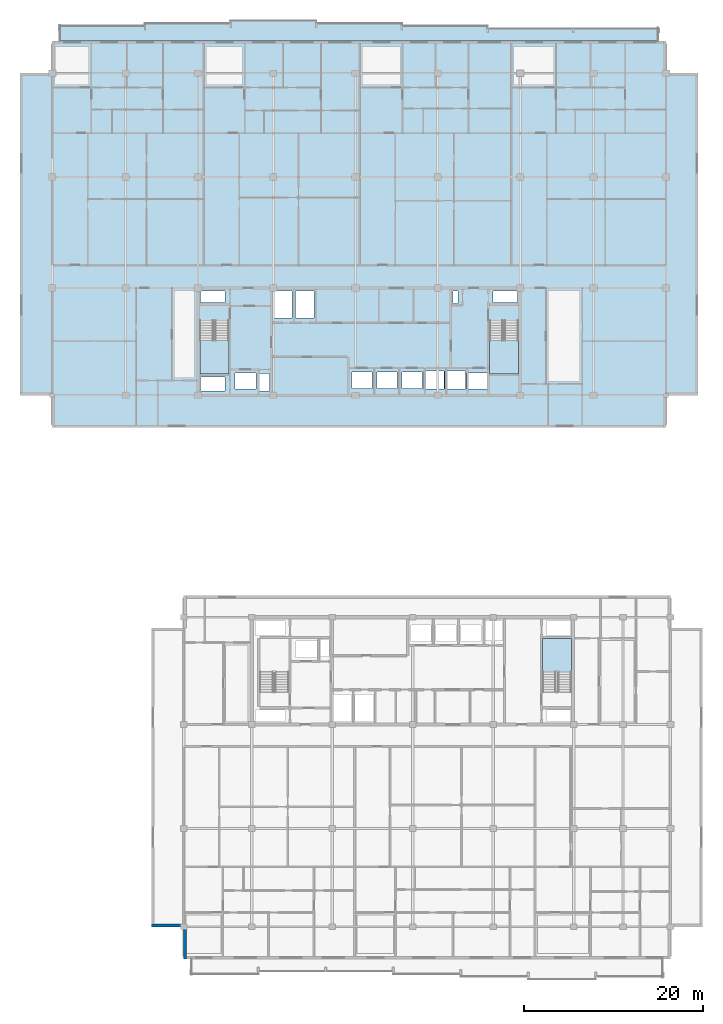
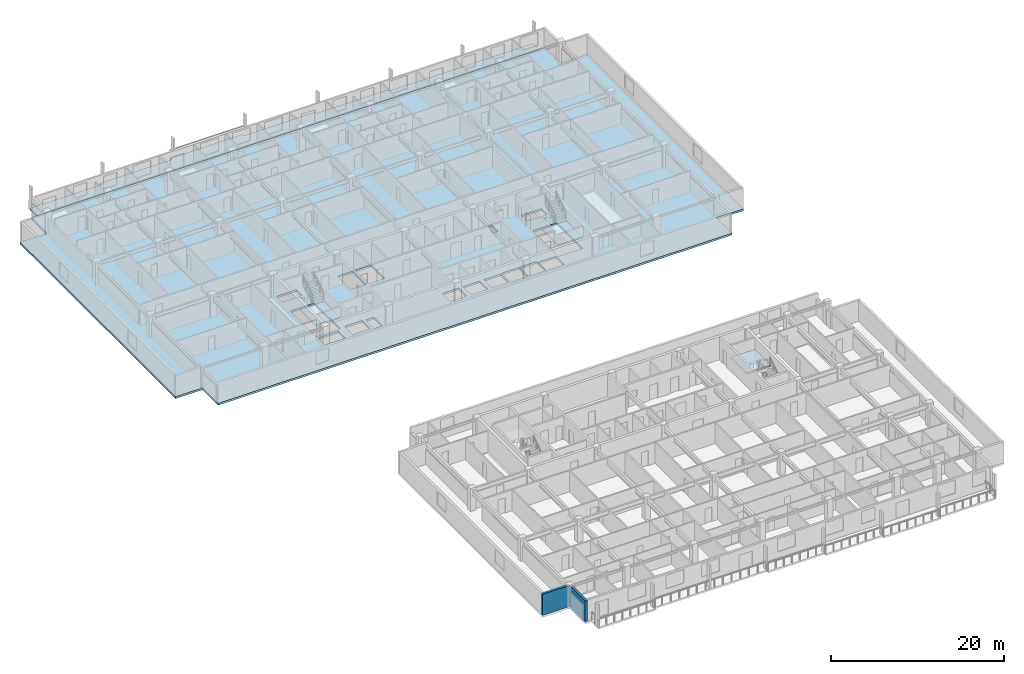
# One storey, part 3 of 24: 5 slabs, 2 walls, 3 elements without a shape of their own.
"""IFC4 building model written with IfcOpenShell, lengths in metres."""

from ifc_helpers import new_model, si_unit, direction, frame, frame_2d, origin, place, context, subcontext, project, spatial, polyline, rectangle, outline, extrude, material, layer, layer_set, type_object, element, aggregate, save


model = new_model("IFC4")

# Units and contexts
model_context = context("Model", 3, precision=1e-05, world=origin(), true_north=direction((0.0, 1.0)))
body_context = subcontext(model_context, "Body", "Model", "MODEL_VIEW")
ifc_project = project(units=[si_unit("LENGTHUNIT", "METRE"), si_unit("AREAUNIT", "SQUARE_METRE"), si_unit("VOLUMEUNIT", "CUBIC_METRE"), si_unit("PLANEANGLEUNIT", "RADIAN"), si_unit("MASSUNIT", "GRAM", prefix="KILO")], contexts=[model_context])

# Site, building, storey
site_placement = place(None, origin())
site = spatial("IfcSite", under=ifc_project, at=site_placement, CompositionType="ELEMENT")
building_placement = place(site_placement, origin())
building = spatial("IfcBuilding", under=site, at=building_placement, Name="Korimba Cascade Residences", CompositionType="ELEMENT")
storey_placement = place(building_placement, frame((0.0, 0.0, 168.60009765625)))
storey = spatial("IfcBuildingStorey", under=building, at=storey_placement, Name="L48", CompositionType="ELEMENT", Elevation=168.60009765625)

# Stair, slab
ifc_material_1 = material(Name="Concrete C50/60", Category="concrete")
stair_type_1 = type_object("IfcStairType", Name="STR-W1-18R-1806", PredefinedType="HALF_TURN_STAIR", material=ifc_material_1)
stair_1_placement = place(storey_placement, origin())
stair_1 = element("IfcStair", 1, at=stair_1_placement, inside=storey, type_object=stair_type_1, Name="L48 Tower 1 West Fire Stair ST-W1", PredefinedType="HALF_TURN_STAIR")
ifc_layer_1 = layer(ifc_material_1, 0.199951171875)
ifc_layer_set_1 = layer_set([ifc_layer_1], Name="Concrete C50/60")
slab_type_1 = type_object("IfcSlabType", Name="SLB-LND-220", PredefinedType="LANDING", material=ifc_layer_set_1)
slab_1_placement = place(storey_placement, frame((0.0, 0.0, 1.4248046875)))
slab_1 = element("IfcSlab", 2, at=slab_1_placement, type_object=slab_type_1, Name="ST-W1 landing 1", PredefinedType="LANDING", context=body_context, shape_type="SweptSolid", body=[
    extrude(outline(polyline([(76.300048828125, 61.31005859375), (76.300048828125, 57.60009765625), (79.5400390625, 57.60009765625), (79.5400390625, 61.31005859375), (76.300048828125, 61.31005859375)])), origin(), (0.0, 0.0, 1.0), 0.2001953125),
])
aggregate(stair_1, [slab_1])

stair_type_2 = type_object("IfcStairType", Name="STR-W2-18R-1806", PredefinedType="HALF_TURN_STAIR", material=ifc_material_1)
stair_2_placement = place(storey_placement, origin())
stair_2 = element("IfcStair", 3, at=stair_2_placement, inside=storey, type_object=stair_type_2, Name="L48 Tower 1 East Fire Stair ST-W2", PredefinedType="HALF_TURN_STAIR")
slab_2_placement = place(storey_placement, frame((0.0, 0.0, 1.4248046875)))
slab_2 = element("IfcSlab", 4, at=slab_2_placement, type_object=slab_type_1, Name="ST-W2 landing 1", PredefinedType="LANDING", context=body_context, shape_type="SweptSolid", body=[
    extrude(outline(polyline([(108.659912109375, 61.31005859375), (108.659912109375, 57.60009765625), (111.89990234375, 57.60009765625), (111.89990234375, 61.31005859375), (108.659912109375, 61.31005859375)])), origin(), (0.0, 0.0, 1.0), 0.2001953125),
])
aggregate(stair_2, [slab_2])

stair_type_3 = type_object("IfcStairType", Name="STR-E2-18R-1806", PredefinedType="HALF_TURN_STAIR", material=ifc_material_1)
stair_3_placement = place(storey_placement, origin())
stair_3 = element("IfcStair", 5, at=stair_3_placement, inside=storey, type_object=stair_type_3, Name="L48 Tower 2 East Fire Stair ST-E2", PredefinedType="HALF_TURN_STAIR")
slab_3_placement = place(storey_placement, frame((0.0, 0.0, 1.4248046875)))
slab_3 = element("IfcSlab", 6, at=slab_3_placement, type_object=slab_type_1, Name="ST-E2 landing 1", PredefinedType="LANDING", context=body_context, shape_type="SweptSolid", body=[
    extrude(outline(polyline([(117.840087890625, 24.2900390625), (117.840087890625, 28.0), (114.60009765625, 28.0), (114.60009765625, 24.2900390625), (117.840087890625, 24.2900390625)])), origin(), (0.0, 0.0, 1.0), 0.2001953125),
])
aggregate(stair_3, [slab_3])

# Slabs
ifc_material_2 = material(Name="Precast concrete C40/50", Category="concrete")
ifc_layer_2 = layer(ifc_material_2, 0.239990234375)
ifc_layer_set_2 = layer_set([ifc_layer_2], Name="Precast concrete C40/50")
slab_type_2 = type_object("IfcSlabType", Name="SLB-LOG-240", PredefinedType="FLOOR", material=ifc_layer_set_2)
slab_4_placement = place(storey_placement, frame((0.0, 0.0, -0.239990234375)))
element("IfcSlab", 7, at=slab_4_placement, inside=storey, type_object=slab_type_2, Name="L48 Tower 1 North Loggia Slab", PredefinedType="FLOOR", context=body_context, shape_type="SweptSolid", body=[
    extrude(outline(polyline([(60.60009765625, 94.800048828125), (127.60009765625, 94.800048828125), (127.60009765625, 96.25), (108.45703125, 96.25), (108.45703125, 96.550048828125), (98.8857421875, 96.550048828125), (98.8857421875, 96.85009765625), (89.314208984375, 96.85009765625), (89.314208984375, 97.14990234375), (79.742919921875, 97.14990234375), (79.742919921875, 96.85009765625), (70.17138671875, 96.85009765625), (70.17138671875, 96.550048828125), (60.60009765625, 96.550048828125), (60.60009765625, 94.800048828125)])), origin(), (0.0, 0.0, 1.0), 0.239990234375),
])
ifc_layer_3 = layer(ifc_material_1, 0.280029296875)
ifc_layer_set_3 = layer_set([ifc_layer_3], Name="Concrete C50/60")
slab_type_3 = type_object("IfcSlabType", Name="SLB-TYP-280", PredefinedType="FLOOR", material=ifc_layer_set_3)
slab_5_placement = place(storey_placement, frame((0.0, 0.0, -0.280029296875)))
element("IfcSlab", 8, at=slab_5_placement, inside=storey, type_object=slab_type_3, Name="L48 Tower 1 Floor Slab", PredefinedType="FLOOR", context=body_context, shape_type="SweptSolid", body=[
    extrude(outline(polyline([(59.800048828125, 51.60009765625), (128.39990234375, 51.60009765625), (128.39990234375, 55.199951171875), (132.0, 55.199951171875), (132.0, 91.199951171875), (128.39990234375, 91.199951171875), (128.39990234375, 94.800048828125), (59.800048828125, 94.800048828125), (59.800048828125, 91.199951171875), (56.199951171875, 91.199951171875), (56.199951171875, 55.199951171875), (59.800048828125, 55.199951171875), (59.800048828125, 51.60009765625)]), holes=[polyline([(76.300048828125, 63.514892578125), (76.300048828125, 57.60009765625), (79.5400390625, 57.60009765625), (79.5400390625, 63.514892578125), (76.300048828125, 63.514892578125)]), polyline([(108.659912109375, 63.514892578125), (108.659912109375, 57.60009765625), (111.89990234375, 57.60009765625), (111.89990234375, 63.514892578125), (108.659912109375, 63.514892578125)]), polyline([(80.22998046875, 55.8798828125), (82.570068359375, 55.8798828125), (82.570068359375, 57.719970703125), (80.22998046875, 57.719970703125), (80.22998046875, 55.8798828125)]), polyline([(106.080078125, 55.8798828125), (108.419921875, 55.8798828125), (108.419921875, 57.719970703125), (106.080078125, 57.719970703125), (106.080078125, 55.8798828125)]), polyline([(93.280029296875, 55.97998046875), (95.52001953125, 55.97998046875), (95.52001953125, 57.820068359375), (93.280029296875, 57.820068359375), (93.280029296875, 55.97998046875)]), polyline([(96.080078125, 55.97998046875), (98.320068359375, 55.97998046875), (98.320068359375, 57.820068359375), (96.080078125, 57.820068359375), (96.080078125, 55.97998046875)]), polyline([(98.8798828125, 55.97998046875), (101.1201171875, 55.97998046875), (101.1201171875, 57.820068359375), (98.8798828125, 57.820068359375), (98.8798828125, 55.97998046875)]), polyline([(101.304931640625, 55.8798828125), (103.594970703125, 55.8798828125), (103.594970703125, 57.919921875), (101.304931640625, 57.919921875), (101.304931640625, 55.8798828125)]), polyline([(103.705078125, 55.8798828125), (105.9951171875, 55.8798828125), (105.9951171875, 57.919921875), (103.705078125, 57.919921875), (103.705078125, 55.8798828125)]), polyline([(82.97998046875, 55.679931640625), (84.080078125, 55.679931640625), (84.080078125, 57.6201171875), (82.97998046875, 57.6201171875), (82.97998046875, 55.679931640625)]), polyline([(76.39990234375, 65.56005859375), (79.10009765625, 65.56005859375), (79.10009765625, 66.8798828125), (76.39990234375, 66.8798828125), (76.39990234375, 65.56005859375)]), polyline([(76.39990234375, 55.679931640625), (79.10009765625, 55.679931640625), (79.10009765625, 57.239990234375), (76.39990234375, 57.239990234375), (76.39990234375, 55.679931640625)]), polyline([(84.530029296875, 63.820068359375), (86.6201171875, 63.820068359375), (86.6201171875, 66.8798828125), (84.530029296875, 66.8798828125), (84.530029296875, 63.820068359375)]), polyline([(86.97998046875, 63.820068359375), (89.070068359375, 63.820068359375), (89.070068359375, 66.8798828125), (86.97998046875, 66.8798828125), (86.97998046875, 63.820068359375)]), polyline([(104.6201171875, 65.4599609375), (105.179931640625, 65.4599609375), (105.179931640625, 66.8798828125), (104.6201171875, 66.8798828125), (104.6201171875, 65.4599609375)]), polyline([(109.080078125, 65.56005859375), (111.800048828125, 65.56005859375), (111.800048828125, 66.8798828125), (109.080078125, 66.8798828125), (109.080078125, 65.56005859375)])]), origin(), (0.0, 0.0, 1.0), 0.280029296875),
])

# Walls
ifc_layer_4 = layer(ifc_material_2, 0.300048828125)
ifc_layer_set_4 = layer_set([ifc_layer_4], Name="Precast concrete C40/50")
wall_type = type_object("IfcWallType", Name="EW-STONE-300", PredefinedType="STANDARD", material=ifc_layer_set_4)
for number, where, z_axis, x_axis, name in (
    (9, (70.89990234375, -4.050048828125, 0.0), (0.0, 0.0, 1.0), (1.0, 0.0, 0.0), "L48 T2 Perimeter Stone Wall E10"),
    (10, (74.64990234375, -4.199951171875, 0.0), (0.0, 0.0, 1.0), (0.0, -1.0, 0.0), "L48 T2 Perimeter Stone Wall E11"),
):
    element("IfcWall", number, at=place(storey_placement, frame(where, z_axis=z_axis, x_axis=x_axis)), inside=storey, type_object=wall_type, Name=name, PredefinedType="STANDARD", context=body_context, shape_type="SweptSolid", body=[
        extrude(rectangle(XDim=3.60009765625, YDim=0.300048828125, at=frame_2d((1.800048828125, 0.0))), origin(), (0.0, 0.0, 1.0), 2.969970703125),
    ])

save(model, "model.ifc")
